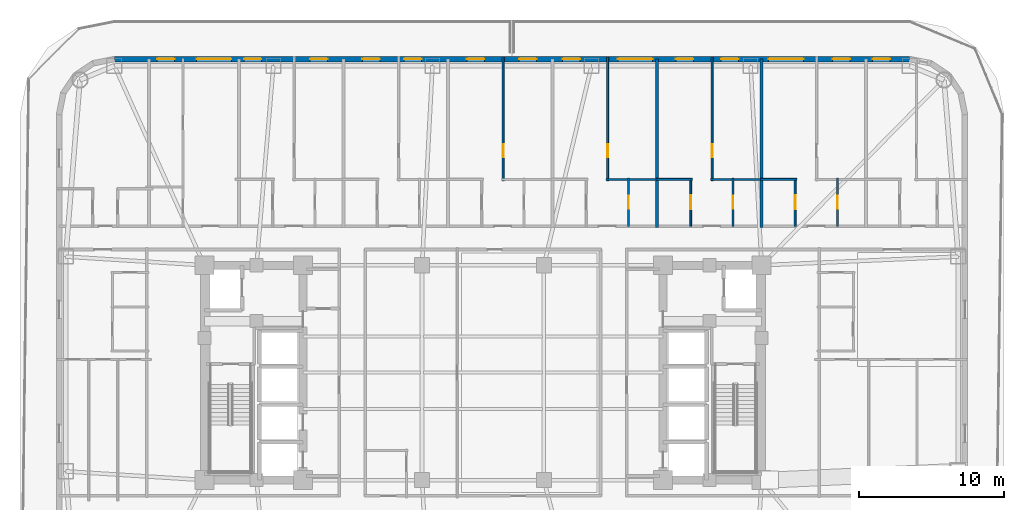
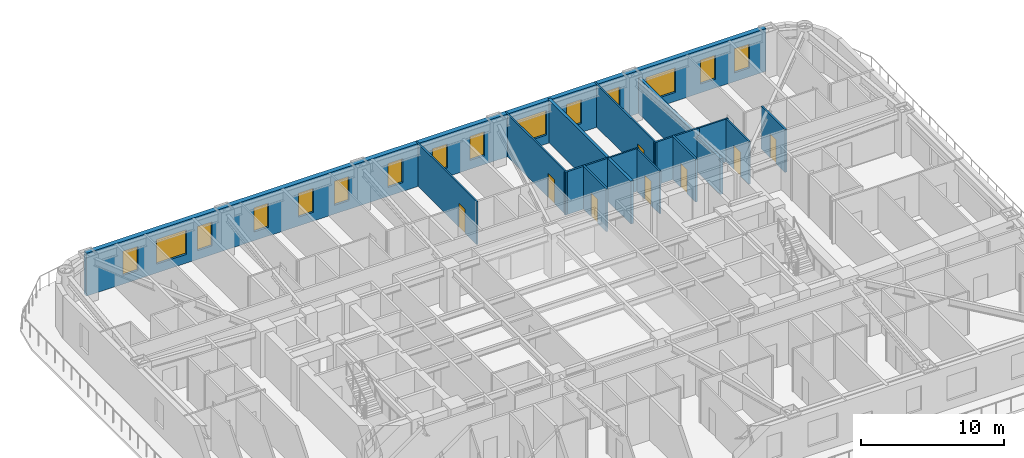
# One storey, part 9 of 16: 15 walls, 15 windows, 8 doors, 23 openings.
"""IFC4 building model written with IfcOpenShell, lengths in metres."""

import ifcopenshell
import ifcopenshell.guid

model = None  # the IFC model being written
_history = None  # IfcOwnerHistory: only IFC2X3 demands one
_inside = {}  # id of a spatial element -> (the spatial element, [elements in it])
_under = {}  # id of a project, library or spatial element -> (it, [spatial elements below it])
_declared = {}  # id of a project -> (the project, [libraries it declares])
_typed = {}  # id of a type object -> (the type object, [elements of that type])
_made_of = {}  # id of a material, layer set ... -> (it, [elements and type objects made of it])


def new_model(schema):
    """Start an empty IFC model of exactly this schema.

    Asked for "IFC4X3", IfcOpenShell would pick the latest addendum, in which some entities
    have other attributes; the version numbers below select the first issue.
    IFC2X3 requires an IfcOwnerHistory on every rooted entity: one is made here for all.
    """
    global model, _history
    if schema == "IFC4X3":
        model = ifcopenshell.file(schema_version=(4, 3, 0, 0))
    else:
        model = ifcopenshell.file(schema=schema)
    _inside.clear()
    _under.clear()
    _declared.clear()
    _typed.clear()
    _made_of.clear()
    _history = None
    if model.schema == "IFC2X3":
        org = make("IfcOrganization", Name="unknown")
        user = make(
            "IfcPersonAndOrganization",
            ThePerson=make("IfcPerson", FamilyName="unknown"),
            TheOrganization=org,
        )
        app = make(
            "IfcApplication",
            ApplicationDeveloper=org,
            Version="unknown",
            ApplicationFullName="unknown",
            ApplicationIdentifier="unknown",
        )
        _history = make(
            "IfcOwnerHistory",
            OwningUser=user,
            OwningApplication=app,
            ChangeAction="ADDED",
            CreationDate=0,
        )
    return model


def make(cls, **values):
    """One entity of the class cls with the attributes given. An attribute that is None is left unset."""
    return model.create_entity(
        cls, **{name: value for name, value in values.items() if value is not None}
    )


def rooted(cls, **values):
    """An entity with a GlobalId (a new one), such as an element, a storey or a relation."""
    return make(cls, GlobalId=ifcopenshell.guid.new(), OwnerHistory=_history, **values)


def si_unit(unit_type, name, prefix=None):
    """IfcSIUnit, for example si_unit("LENGTHUNIT", "METRE", prefix="MILLI")."""
    return make("IfcSIUnit", UnitType=unit_type, Prefix=prefix, Name=name)


def assignment(units):
    """IfcUnitAssignment: the units of a project."""
    return None if units is None else make("IfcUnitAssignment", Units=units)


def point(xyz):
    """IfcCartesianPoint."""
    return None if xyz is None else make("IfcCartesianPoint", Coordinates=xyz)


def direction(xyz):
    """IfcDirection."""
    return None if xyz is None else make("IfcDirection", DirectionRatios=xyz)


def frame(location, z_axis=None, x_axis=None):
    """IfcAxis2Placement3D, a coordinate frame: its origin and axes. An axis left out is left unset."""
    return make(
        "IfcAxis2Placement3D",
        Location=point(location),
        Axis=direction(z_axis),
        RefDirection=direction(x_axis),
    )


def frame_2d(location, x_axis=None):
    """IfcAxis2Placement2D, a coordinate frame in the plane: its origin and x axis."""
    return make(
        "IfcAxis2Placement2D", Location=point(location), RefDirection=direction(x_axis)
    )


def origin():
    """The frame at (0, 0, 0) with its axes left unset."""
    return frame((0.0, 0.0, 0.0))


def place(relative_to, where):
    """IfcLocalPlacement: puts the frame where relative to a parent placement (None: the world)."""
    return make(
        "IfcLocalPlacement", PlacementRelTo=relative_to, RelativePlacement=where
    )


def context(
    kind, dimensions, precision=None, world=None, true_north=None, identifier=None
):
    """IfcGeometricRepresentationContext, for example the 3D "Model" context."""
    return make(
        "IfcGeometricRepresentationContext",
        ContextIdentifier=identifier,
        ContextType=kind,
        CoordinateSpaceDimension=dimensions,
        Precision=precision,
        WorldCoordinateSystem=world,
        TrueNorth=true_north,
    )


def subcontext(parent, identifier, kind, view, scale=None):
    """IfcGeometricRepresentationSubContext, for example "Body" below "Model"."""
    return make(
        "IfcGeometricRepresentationSubContext",
        ContextIdentifier=identifier,
        ContextType=kind,
        ParentContext=parent,
        TargetScale=scale,
        TargetView=view,
    )


def project(units=None, contexts=None):
    """IfcProject with its units and contexts."""
    return rooted(
        "IfcProject",
        Name="project",
        RepresentationContexts=contexts,
        UnitsInContext=assignment(units),
    )


def spatial(cls, under=None, at=None, **own):
    """A site, building, storey or space (cls), placed at a placement, below another one or the project."""
    s = rooted(cls, ObjectPlacement=at, **own)
    if under is not None:
        _under.setdefault(under.id(), (under, []))[1].append(s)
    return s


def profile(cls, at=None, kind="AREA", **sizes):
    """A parametric profile (cls). Its sizes go by their IFC names, for example OverallWidth=200.0."""
    return make(cls, ProfileType=kind, Position=at, **sizes)


def rectangle(**sizes):
    """IfcRectangleProfileDef."""
    return profile("IfcRectangleProfileDef", **sizes)


def extrude(swept, where, along, depth):
    """IfcExtrudedAreaSolid: the profile swept, set in the frame where, extruded along a direction by depth."""
    return make(
        "IfcExtrudedAreaSolid",
        SweptArea=swept,
        Position=where,
        ExtrudedDirection=direction(along),
        Depth=depth,
    )


def shape(context_of_items, identifier, shape_type, items):
    """IfcShapeRepresentation: the items that make up one representation, for example the "Body"."""
    return make(
        "IfcShapeRepresentation",
        ContextOfItems=context_of_items,
        RepresentationIdentifier=identifier,
        RepresentationType=shape_type,
        Items=items,
    )


def material(Name=None, Category=None):
    """IfcMaterial."""
    return make("IfcMaterial", Name=Name, Category=Category)


def layer(
    of_material, thickness, ventilated=None, Name=None, Category=None, Priority=None
):
    """IfcMaterialLayer: one layer of a wall or slab, of a material (None: an air gap)."""
    return make(
        "IfcMaterialLayer",
        Material=of_material,
        LayerThickness=thickness,
        IsVentilated=ventilated,
        Name=Name,
        Category=Category,
        Priority=Priority,
    )


def layer_set(layers, Name=None):
    """IfcMaterialLayerSet."""
    return make("IfcMaterialLayerSet", MaterialLayers=layers, LayerSetName=Name)


def made_of(thing, what):
    """Note that an element or type object is made of a material, layer set ...; save() writes the relation."""
    if what is not None:
        _made_of.setdefault(what.id(), (what, []))[1].append(thing)
    return thing


def type_object(cls, material=None, **own):
    """A type object (cls), such as IfcWallType, which elements share."""
    return made_of(rooted(cls, **own), material)


def element(
    cls,
    number,
    at=None,
    inside=None,
    cuts=None,
    type_object=None,
    material=None,
    context=None,
    identifier="Body",
    shape_type=None,
    held_by="IfcProductDefinitionShape",
    body=None,
    shapes=None,
    **own,
):
    """One element of the class cls, such as IfcWall. Its Tag is "e" and its number.

    at: its placement. inside: the storey or other place that contains it. cuts: it is an
    opening in that element (IfcRelVoidsElement). A single representation is given by context,
    identifier, shape_type and body (its items); several are given by shapes. held_by: the class
    of the entity that holds the representations. save() writes the other relations.
    """
    e = rooted(cls, Tag="e%d" % number, ObjectPlacement=at, **own)
    if body is not None:
        shapes = [shape(context, identifier, shape_type, body)]
    if shapes is not None:
        e.Representation = make(held_by, Representations=shapes)
    if inside is not None:
        _inside.setdefault(inside.id(), (inside, []))[1].append(e)
    if cuts is not None:
        rooted(
            "IfcRelVoidsElement", RelatingBuildingElement=cuts, RelatedOpeningElement=e
        )
    if type_object is not None:
        _typed.setdefault(type_object.id(), (type_object, []))[1].append(e)
    return made_of(e, material)


def fill(opening, filler):
    """IfcRelFillsElement: the door or window that sits in an opening."""
    return rooted(
        "IfcRelFillsElement",
        RelatingOpeningElement=opening,
        RelatedBuildingElement=filler,
    )


def aggregate(whole, parts):
    """IfcRelAggregates: a whole, such as a stair, and the parts it consists of."""
    return rooted("IfcRelAggregates", RelatingObject=whole, RelatedObjects=parts)


def save(model, path):
    """Write the relations noted so far, then the file.

    IfcRelAggregates (storeys below a building ...), IfcRelContainedInSpatialStructure (elements
    in a storey), IfcRelDefinesByType, IfcRelAssociatesMaterial and IfcRelDeclares: one each for
    every whole, place, type object, material and project.
    """
    for whole, parts in _under.values():
        aggregate(whole, parts)
    for where, things in _inside.values():
        rooted(
            "IfcRelContainedInSpatialStructure",
            RelatedElements=things,
            RelatingStructure=where,
        )
    for kind, things in _typed.values():
        rooted("IfcRelDefinesByType", RelatedObjects=things, RelatingType=kind)
    for what, things in _made_of.values():
        rooted("IfcRelAssociatesMaterial", RelatedObjects=things, RelatingMaterial=what)
    for by, libraries in _declared.values():
        rooted("IfcRelDeclares", RelatingContext=by, RelatedDefinitions=libraries)
    model.write(path)


model = new_model("IFC4")

# Units and contexts
model_context = context("Model", 3, precision=1e-05, world=origin(), true_north=direction((0.0, 1.0)))
body_context = subcontext(model_context, "Body", "Model", "MODEL_VIEW")
ifc_project = project(units=[si_unit("LENGTHUNIT", "METRE"), si_unit("AREAUNIT", "SQUARE_METRE"), si_unit("VOLUMEUNIT", "CUBIC_METRE"), si_unit("PLANEANGLEUNIT", "RADIAN"), si_unit("MASSUNIT", "GRAM", prefix="KILO")], contexts=[model_context])

# Site, building, storey
site_placement = place(None, origin())
site = spatial("IfcSite", under=ifc_project, at=site_placement, CompositionType="ELEMENT")
building_placement = place(site_placement, origin())
building = spatial("IfcBuilding", under=site, at=building_placement, Name="Voryun Gate Residences", CompositionType="ELEMENT")
storey_placement = place(building_placement, frame((0.0, 0.0, 113.10009765625)))
storey = spatial("IfcBuildingStorey", under=building, at=storey_placement, Name="L27", CompositionType="ELEMENT", Elevation=113.10009765625)

# Wall, openings, windows
ifc_material_1 = material(Name="Granite masonry", Category="masonry")
ifc_layer_1 = layer(ifc_material_1, 0.3798828125, Name="W_EXT_GRANITE_380")
ifc_layer_set_1 = layer_set([ifc_layer_1], Name="Granite masonry")
wall_type_1 = type_object("IfcWallType", Name="W_EXT_GRANITE_380", PredefinedType="ELEMENTEDWALL", material=ifc_layer_set_1)
wall_1_placement = place(storey_placement, frame((-25.38134765625, 21.610107421875, 0.0), z_axis=(0.0, 0.0, 1.0), x_axis=(1.0, 0.0, 0.0)))
wall_1 = element("IfcWall", 1, at=wall_1_placement, inside=storey, type_object=wall_type_1, Name="Exterior wall WEXT-L27-11", PredefinedType="ELEMENTEDWALL", context=body_context, shape_type="SweptSolid", body=[
    extrude(rectangle(XDim=54.7626953125, YDim=0.3798828125, at=frame_2d((27.38134765625, 0.0))), origin(), (0.0, 0.0, 1.0), 3.64990234375),
])
opening_1_placement = place(wall_1_placement, frame((5.645263671875, 0.0, 0.75)))
opening_1 = element("IfcOpeningElement", 2, at=opening_1_placement, cuts=wall_1, Name="Opening WN2", PredefinedType="OPENING", context=body_context, shape_type="SweptSolid", body=[
    extrude(rectangle(XDim=2.39990234375, YDim=2.10009765625, at=frame_2d((1.199951171875, 1.050048828125))), frame((0.0, 0.199951171875, 0.0), z_axis=(0.0, -1.0, 0.0), x_axis=(1.0, 0.0, 0.0)), (0.0, 0.0, 1.0), 0.39990234375),
])
opening_2_placement = place(wall_1_placement, frame((34.676513671875, 0.0, 0.75)))
opening_2 = element("IfcOpeningElement", 3, at=opening_2_placement, cuts=wall_1, Name="Opening WN2", PredefinedType="OPENING", context=body_context, shape_type="SweptSolid", body=[
    extrude(rectangle(XDim=2.39990234375, YDim=2.10009765625, at=frame_2d((1.199951171875, 1.050048828125))), frame((0.0, 0.199951171875, 0.0), z_axis=(0.0, -1.0, 0.0), x_axis=(1.0, 0.0, 0.0)), (0.0, 0.0, 1.0), 0.39990234375),
])
opening_3_placement = place(wall_1_placement, frame((45.0673828125, 0.0, 0.75)))
opening_3 = element("IfcOpeningElement", 4, at=opening_3_placement, cuts=wall_1, Name="Opening WN2", PredefinedType="OPENING", context=body_context, shape_type="SweptSolid", body=[
    extrude(rectangle(XDim=2.39990234375, YDim=2.10009765625, at=frame_2d((1.199951171875, 1.050048828125))), frame((0.0, 0.199951171875, 0.0), z_axis=(0.0, -1.0, 0.0), x_axis=(1.0, 0.0, 0.0)), (0.0, 0.0, 1.0), 0.39990234375),
])
opening_4_placement = place(wall_1_placement, frame((2.937744140625, 0.0, 0.75)))
opening_4 = element("IfcOpeningElement", 5, at=opening_4_placement, cuts=wall_1, Name="Opening WN6", PredefinedType="OPENING", context=body_context, shape_type="SweptSolid", body=[
    extrude(rectangle(XDim=1.199951171875, YDim=2.050048828125, at=frame_2d((0.60009765625, 1.02490234375))), frame((0.0, 0.199951171875, 0.0), z_axis=(0.0, -1.0, 0.0), x_axis=(1.0, 0.0, 0.0)), (0.0, 0.0, 1.0), 0.39990234375),
])
opening_5_placement = place(wall_1_placement, frame((8.916259765625, 0.0, 0.75)))
opening_5 = element("IfcOpeningElement", 6, at=opening_5_placement, cuts=wall_1, Name="Opening WN6", PredefinedType="OPENING", context=body_context, shape_type="SweptSolid", body=[
    extrude(rectangle(XDim=1.199951171875, YDim=2.050048828125, at=frame_2d((0.60009765625, 1.02490234375))), frame((0.0, 0.199951171875, 0.0), z_axis=(0.0, -1.0, 0.0), x_axis=(1.0, 0.0, 0.0)), (0.0, 0.0, 1.0), 0.39990234375),
])
opening_6_placement = place(wall_1_placement, frame((13.476318359375, 0.0, 0.75)))
opening_6 = element("IfcOpeningElement", 7, at=opening_6_placement, cuts=wall_1, Name="Opening WN6", PredefinedType="OPENING", context=body_context, shape_type="SweptSolid", body=[
    extrude(rectangle(XDim=1.199951171875, YDim=2.050048828125, at=frame_2d((0.60009765625, 1.02490234375))), frame((0.0, 0.199951171875, 0.0), z_axis=(0.0, -1.0, 0.0), x_axis=(1.0, 0.0, 0.0)), (0.0, 0.0, 1.0), 0.39990234375),
])
opening_7_placement = place(wall_1_placement, frame((17.076416015625, 0.0, 0.75)))
opening_7 = element("IfcOpeningElement", 8, at=opening_7_placement, cuts=wall_1, Name="Opening WN6", PredefinedType="OPENING", context=body_context, shape_type="SweptSolid", body=[
    extrude(rectangle(XDim=1.199951171875, YDim=2.050048828125, at=frame_2d((0.60009765625, 1.02490234375))), frame((0.0, 0.199951171875, 0.0), z_axis=(0.0, -1.0, 0.0), x_axis=(1.0, 0.0, 0.0)), (0.0, 0.0, 1.0), 0.39990234375),
])
opening_8_placement = place(wall_1_placement, frame((19.956298828125, 0.0, 0.75)))
opening_8 = element("IfcOpeningElement", 9, at=opening_8_placement, cuts=wall_1, Name="Opening WN6", PredefinedType="OPENING", context=body_context, shape_type="SweptSolid", body=[
    extrude(rectangle(XDim=1.199951171875, YDim=2.050048828125, at=frame_2d((0.60009765625, 1.02490234375))), frame((0.0, 0.199951171875, 0.0), z_axis=(0.0, -1.0, 0.0), x_axis=(1.0, 0.0, 0.0)), (0.0, 0.0, 1.0), 0.39990234375),
])
opening_9_placement = place(wall_1_placement, frame((24.2763671875, 0.0, 0.75)))
opening_9 = element("IfcOpeningElement", 10, at=opening_9_placement, cuts=wall_1, Name="Opening WN6", PredefinedType="OPENING", context=body_context, shape_type="SweptSolid", body=[
    extrude(rectangle(XDim=1.199951171875, YDim=2.050048828125, at=frame_2d((0.60009765625, 1.02490234375))), frame((0.0, 0.199951171875, 0.0), z_axis=(0.0, -1.0, 0.0), x_axis=(1.0, 0.0, 0.0)), (0.0, 0.0, 1.0), 0.39990234375),
])
opening_10_placement = place(wall_1_placement, frame((27.876220703125, 0.0, 0.75)))
opening_10 = element("IfcOpeningElement", 11, at=opening_10_placement, cuts=wall_1, Name="Opening WN6", PredefinedType="OPENING", context=body_context, shape_type="SweptSolid", body=[
    extrude(rectangle(XDim=1.199951171875, YDim=2.050048828125, at=frame_2d((0.60009765625, 1.02490234375))), frame((0.0, 0.199951171875, 0.0), z_axis=(0.0, -1.0, 0.0), x_axis=(1.0, 0.0, 0.0)), (0.0, 0.0, 1.0), 0.39990234375),
])
opening_11_placement = place(wall_1_placement, frame((30.876220703125, 0.0, 0.75)))
opening_11 = element("IfcOpeningElement", 12, at=opening_11_placement, cuts=wall_1, Name="Opening WN6", PredefinedType="OPENING", context=body_context, shape_type="SweptSolid", body=[
    extrude(rectangle(XDim=1.199951171875, YDim=2.050048828125, at=frame_2d((0.60009765625, 1.02490234375))), frame((0.0, 0.199951171875, 0.0), z_axis=(0.0, -1.0, 0.0), x_axis=(1.0, 0.0, 0.0)), (0.0, 0.0, 1.0), 0.39990234375),
])
opening_12_placement = place(wall_1_placement, frame((38.67626953125, 0.0, 0.75)))
opening_12 = element("IfcOpeningElement", 13, at=opening_12_placement, cuts=wall_1, Name="Opening WN6", PredefinedType="OPENING", context=body_context, shape_type="SweptSolid", body=[
    extrude(rectangle(XDim=1.199951171875, YDim=2.050048828125, at=frame_2d((0.60009765625, 1.02490234375))), frame((0.0, 0.199951171875, 0.0), z_axis=(0.0, -1.0, 0.0), x_axis=(1.0, 0.0, 0.0)), (0.0, 0.0, 1.0), 0.39990234375),
])
opening_13_placement = place(wall_1_placement, frame((41.79638671875, 0.0, 0.75)))
opening_13 = element("IfcOpeningElement", 14, at=opening_13_placement, cuts=wall_1, Name="Opening WN6", PredefinedType="OPENING", context=body_context, shape_type="SweptSolid", body=[
    extrude(rectangle(XDim=1.199951171875, YDim=2.050048828125, at=frame_2d((0.60009765625, 1.02490234375))), frame((0.0, 0.199951171875, 0.0), z_axis=(0.0, -1.0, 0.0), x_axis=(1.0, 0.0, 0.0)), (0.0, 0.0, 1.0), 0.39990234375),
])
opening_14_placement = place(wall_1_placement, frame((49.476318359375, 0.0, 0.75)))
opening_14 = element("IfcOpeningElement", 15, at=opening_14_placement, cuts=wall_1, Name="Opening WN6", PredefinedType="OPENING", context=body_context, shape_type="SweptSolid", body=[
    extrude(rectangle(XDim=1.199951171875, YDim=2.050048828125, at=frame_2d((0.60009765625, 1.02490234375))), frame((0.0, 0.199951171875, 0.0), z_axis=(0.0, -1.0, 0.0), x_axis=(1.0, 0.0, 0.0)), (0.0, 0.0, 1.0), 0.39990234375),
])
opening_15_placement = place(wall_1_placement, frame((52.226806640625, 0.0, 0.75)))
opening_15 = element("IfcOpeningElement", 16, at=opening_15_placement, cuts=wall_1, Name="Opening WN6", PredefinedType="OPENING", context=body_context, shape_type="SweptSolid", body=[
    extrude(rectangle(XDim=1.199951171875, YDim=2.050048828125, at=frame_2d((0.60009765625, 1.02490234375))), frame((0.0, 0.199951171875, 0.0), z_axis=(0.0, -1.0, 0.0), x_axis=(1.0, 0.0, 0.0)), (0.0, 0.0, 1.0), 0.39990234375),
])
ifc_material_2 = material(Name="Laminated low-E glass", Category="glass")
window_type_1 = type_object("IfcWindowType", Name="WN_POD_SLOT_1200", PartitioningType="SINGLE_PANEL", PredefinedType="WINDOW", material=ifc_material_2)
window_1_placement = place(opening_4_placement, origin())
window_1 = element("IfcWindow", 17, at=window_1_placement, inside=storey, type_object=window_type_1, Name="Window WN-L27-DWFIX-02", OverallHeight=2.050048828125, OverallWidth=1.199951171875, PartitioningType="SINGLE_PANEL", PredefinedType="WINDOW", context=body_context, shape_type="SweptSolid", body=[
    extrude(rectangle(XDim=1.199951171875, YDim=2.050048828125, at=frame_2d((0.60009765625, 1.02490234375))), frame((0.0, 0.030029296875, 0.0), z_axis=(0.0, -1.0, 0.0), x_axis=(1.0, 0.0, 0.0)), (0.0, 0.0, 1.0), 0.06005859375),
])
fill(opening_4, window_1)
window_2_placement = place(opening_5_placement, origin())
window_2 = element("IfcWindow", 18, at=window_2_placement, inside=storey, type_object=window_type_1, Name="Window WN-L27-DWFIX-03", OverallHeight=2.050048828125, OverallWidth=1.199951171875, PartitioningType="SINGLE_PANEL", PredefinedType="WINDOW", context=body_context, shape_type="SweptSolid", body=[
    extrude(rectangle(XDim=1.199951171875, YDim=2.050048828125, at=frame_2d((0.60009765625, 1.02490234375))), frame((0.0, 0.030029296875, 0.0), z_axis=(0.0, -1.0, 0.0), x_axis=(1.0, 0.0, 0.0)), (0.0, 0.0, 1.0), 0.06005859375),
])
fill(opening_5, window_2)
window_3_placement = place(opening_6_placement, origin())
window_3 = element("IfcWindow", 19, at=window_3_placement, inside=storey, type_object=window_type_1, Name="Window WN-L27-DWFIX-04", OverallHeight=2.050048828125, OverallWidth=1.199951171875, PartitioningType="SINGLE_PANEL", PredefinedType="WINDOW", context=body_context, shape_type="SweptSolid", body=[
    extrude(rectangle(XDim=1.199951171875, YDim=2.050048828125, at=frame_2d((0.60009765625, 1.02490234375))), frame((0.0, 0.030029296875, 0.0), z_axis=(0.0, -1.0, 0.0), x_axis=(1.0, 0.0, 0.0)), (0.0, 0.0, 1.0), 0.06005859375),
])
fill(opening_6, window_3)
window_4_placement = place(opening_7_placement, origin())
window_4 = element("IfcWindow", 20, at=window_4_placement, inside=storey, type_object=window_type_1, Name="Window WN-L27-DWFIX-05", OverallHeight=2.050048828125, OverallWidth=1.199951171875, PartitioningType="SINGLE_PANEL", PredefinedType="WINDOW", context=body_context, shape_type="SweptSolid", body=[
    extrude(rectangle(XDim=1.199951171875, YDim=2.050048828125, at=frame_2d((0.60009765625, 1.02490234375))), frame((0.0, 0.030029296875, 0.0), z_axis=(0.0, -1.0, 0.0), x_axis=(1.0, 0.0, 0.0)), (0.0, 0.0, 1.0), 0.06005859375),
])
fill(opening_7, window_4)
window_5_placement = place(opening_8_placement, origin())
window_5 = element("IfcWindow", 21, at=window_5_placement, inside=storey, type_object=window_type_1, Name="Window WN-L27-DWFIX-06", OverallHeight=2.050048828125, OverallWidth=1.199951171875, PartitioningType="SINGLE_PANEL", PredefinedType="WINDOW", context=body_context, shape_type="SweptSolid", body=[
    extrude(rectangle(XDim=1.199951171875, YDim=2.050048828125, at=frame_2d((0.60009765625, 1.02490234375))), frame((0.0, 0.030029296875, 0.0), z_axis=(0.0, -1.0, 0.0), x_axis=(1.0, 0.0, 0.0)), (0.0, 0.0, 1.0), 0.06005859375),
])
fill(opening_8, window_5)
window_6_placement = place(opening_9_placement, origin())
window_6 = element("IfcWindow", 22, at=window_6_placement, inside=storey, type_object=window_type_1, Name="Window WN-L27-DWFIX-07", OverallHeight=2.050048828125, OverallWidth=1.199951171875, PartitioningType="SINGLE_PANEL", PredefinedType="WINDOW", context=body_context, shape_type="SweptSolid", body=[
    extrude(rectangle(XDim=1.199951171875, YDim=2.050048828125, at=frame_2d((0.60009765625, 1.02490234375))), frame((0.0, 0.030029296875, 0.0), z_axis=(0.0, -1.0, 0.0), x_axis=(1.0, 0.0, 0.0)), (0.0, 0.0, 1.0), 0.06005859375),
])
fill(opening_9, window_6)
window_7_placement = place(opening_10_placement, origin())
window_7 = element("IfcWindow", 23, at=window_7_placement, inside=storey, type_object=window_type_1, Name="Window WN-L27-DWFIX-08", OverallHeight=2.050048828125, OverallWidth=1.199951171875, PartitioningType="SINGLE_PANEL", PredefinedType="WINDOW", context=body_context, shape_type="SweptSolid", body=[
    extrude(rectangle(XDim=1.199951171875, YDim=2.050048828125, at=frame_2d((0.60009765625, 1.02490234375))), frame((0.0, 0.030029296875, 0.0), z_axis=(0.0, -1.0, 0.0), x_axis=(1.0, 0.0, 0.0)), (0.0, 0.0, 1.0), 0.06005859375),
])
fill(opening_10, window_7)
window_8_placement = place(opening_11_placement, origin())
window_8 = element("IfcWindow", 24, at=window_8_placement, inside=storey, type_object=window_type_1, Name="Window WN-L27-DWFIX-09", OverallHeight=2.050048828125, OverallWidth=1.199951171875, PartitioningType="SINGLE_PANEL", PredefinedType="WINDOW", context=body_context, shape_type="SweptSolid", body=[
    extrude(rectangle(XDim=1.199951171875, YDim=2.050048828125, at=frame_2d((0.60009765625, 1.02490234375))), frame((0.0, 0.030029296875, 0.0), z_axis=(0.0, -1.0, 0.0), x_axis=(1.0, 0.0, 0.0)), (0.0, 0.0, 1.0), 0.06005859375),
])
fill(opening_11, window_8)
window_9_placement = place(opening_12_placement, origin())
window_9 = element("IfcWindow", 25, at=window_9_placement, inside=storey, type_object=window_type_1, Name="Window WN-L27-DWFIX-10", OverallHeight=2.050048828125, OverallWidth=1.199951171875, PartitioningType="SINGLE_PANEL", PredefinedType="WINDOW", context=body_context, shape_type="SweptSolid", body=[
    extrude(rectangle(XDim=1.199951171875, YDim=2.050048828125, at=frame_2d((0.60009765625, 1.02490234375))), frame((0.0, 0.030029296875, 0.0), z_axis=(0.0, -1.0, 0.0), x_axis=(1.0, 0.0, 0.0)), (0.0, 0.0, 1.0), 0.06005859375),
])
fill(opening_12, window_9)
window_10_placement = place(opening_13_placement, origin())
window_10 = element("IfcWindow", 26, at=window_10_placement, inside=storey, type_object=window_type_1, Name="Window WN-L27-DWFIX-11", OverallHeight=2.050048828125, OverallWidth=1.199951171875, PartitioningType="SINGLE_PANEL", PredefinedType="WINDOW", context=body_context, shape_type="SweptSolid", body=[
    extrude(rectangle(XDim=1.199951171875, YDim=2.050048828125, at=frame_2d((0.60009765625, 1.02490234375))), frame((0.0, 0.030029296875, 0.0), z_axis=(0.0, -1.0, 0.0), x_axis=(1.0, 0.0, 0.0)), (0.0, 0.0, 1.0), 0.06005859375),
])
fill(opening_13, window_10)
window_11_placement = place(opening_14_placement, origin())
window_11 = element("IfcWindow", 27, at=window_11_placement, inside=storey, type_object=window_type_1, Name="Window WN-L27-DWFIX-12", OverallHeight=2.050048828125, OverallWidth=1.199951171875, PartitioningType="SINGLE_PANEL", PredefinedType="WINDOW", context=body_context, shape_type="SweptSolid", body=[
    extrude(rectangle(XDim=1.199951171875, YDim=2.050048828125, at=frame_2d((0.60009765625, 1.02490234375))), frame((0.0, 0.030029296875, 0.0), z_axis=(0.0, -1.0, 0.0), x_axis=(1.0, 0.0, 0.0)), (0.0, 0.0, 1.0), 0.06005859375),
])
fill(opening_14, window_11)
window_12_placement = place(opening_15_placement, origin())
window_12 = element("IfcWindow", 28, at=window_12_placement, inside=storey, type_object=window_type_1, Name="Window WN-L27-DWFIX-13", OverallHeight=2.050048828125, OverallWidth=1.199951171875, PartitioningType="SINGLE_PANEL", PredefinedType="WINDOW", context=body_context, shape_type="SweptSolid", body=[
    extrude(rectangle(XDim=1.199951171875, YDim=2.050048828125, at=frame_2d((0.60009765625, 1.02490234375))), frame((0.0, 0.030029296875, 0.0), z_axis=(0.0, -1.0, 0.0), x_axis=(1.0, 0.0, 0.0)), (0.0, 0.0, 1.0), 0.06005859375),
])
fill(opening_15, window_12)
ifc_material_3 = material(Name="Laminated low-E glass", Category="glass")
window_type_2 = type_object("IfcWindowType", Name="WN_RES_WIDE_2400", PartitioningType="SINGLE_PANEL", PredefinedType="WINDOW", material=ifc_material_3)
window_13_placement = place(opening_1_placement, origin())
window_13 = element("IfcWindow", 29, at=window_13_placement, inside=storey, type_object=window_type_2, Name="Window WN-WEXT-L27-11-01", OverallHeight=2.10009765625, OverallWidth=2.39990234375, PartitioningType="SINGLE_PANEL", PredefinedType="WINDOW", context=body_context, shape_type="SweptSolid", body=[
    extrude(rectangle(XDim=2.39990234375, YDim=2.10009765625, at=frame_2d((1.199951171875, 1.050048828125))), frame((0.0, 0.030029296875, 0.0), z_axis=(0.0, -1.0, 0.0), x_axis=(1.0, 0.0, 0.0)), (0.0, 0.0, 1.0), 0.06005859375),
])
fill(opening_1, window_13)
window_14_placement = place(opening_2_placement, origin())
window_14 = element("IfcWindow", 30, at=window_14_placement, inside=storey, type_object=window_type_2, Name="Window WN-WEXT-L27-11-03", OverallHeight=2.10009765625, OverallWidth=2.39990234375, PartitioningType="SINGLE_PANEL", PredefinedType="WINDOW", context=body_context, shape_type="SweptSolid", body=[
    extrude(rectangle(XDim=2.39990234375, YDim=2.10009765625, at=frame_2d((1.199951171875, 1.050048828125))), frame((0.0, 0.030029296875, 0.0), z_axis=(0.0, -1.0, 0.0), x_axis=(1.0, 0.0, 0.0)), (0.0, 0.0, 1.0), 0.06005859375),
])
fill(opening_2, window_14)
window_15_placement = place(opening_3_placement, origin())
window_15 = element("IfcWindow", 31, at=window_15_placement, inside=storey, type_object=window_type_2, Name="Window WN-WEXT-L27-11-04", OverallHeight=2.10009765625, OverallWidth=2.39990234375, PartitioningType="SINGLE_PANEL", PredefinedType="WINDOW", context=body_context, shape_type="SweptSolid", body=[
    extrude(rectangle(XDim=2.39990234375, YDim=2.10009765625, at=frame_2d((1.199951171875, 1.050048828125))), frame((0.0, 0.030029296875, 0.0), z_axis=(0.0, -1.0, 0.0), x_axis=(1.0, 0.0, 0.0)), (0.0, 0.0, 1.0), 0.06005859375),
])
fill(opening_3, window_15)

# Walls
ifc_material_4 = material(Name="Concrete C40/50", Category="concrete")
ifc_layer_2 = layer(ifc_material_4, 0.219970703125, Name="W_PARTY_ACOUSTIC_220")
ifc_layer_set_2 = layer_set([ifc_layer_2], Name="Concrete C40/50")
wall_type_2 = type_object("IfcWallType", Name="W_PARTY_ACOUSTIC_220", PredefinedType="PARTITIONING", material=ifc_layer_set_2)
wall_2_placement = place(storey_placement, frame((12.0, 10.02001953125, 0.0), z_axis=(0.0, 0.0, 1.0), x_axis=(0.0, 1.0, 0.0)))
element("IfcWall", 32, at=wall_2_placement, inside=storey, type_object=wall_type_2, Name="Partition wall WP-L27-NPTY-6", PredefinedType="PARTITIONING", context=body_context, shape_type="SweptSolid", body=[
    extrude(rectangle(XDim=11.590087890625, YDim=0.219970703125, at=frame_2d((5.794921875, 0.0))), origin(), (0.0, 0.0, 1.0), 3.64990234375),
])
wall_3_placement = place(storey_placement, frame((19.199951171875, 10.02001953125, 0.0), z_axis=(0.0, 0.0, 1.0), x_axis=(0.0, 1.0, 0.0)))
element("IfcWall", 33, at=wall_3_placement, inside=storey, type_object=wall_type_2, Name="Partition wall WP-L27-NPTY-7", PredefinedType="PARTITIONING", context=body_context, shape_type="SweptSolid", body=[
    extrude(rectangle(XDim=11.590087890625, YDim=0.219970703125, at=frame_2d((5.794921875, 0.0))), origin(), (0.0, 0.0, 1.0), 3.039794921875),
])

# Wall, opening, door
ifc_material_5 = material(Name="Gypsum acoustic partition")
ifc_layer_3 = layer(ifc_material_5, 0.125, Name="W_UNIT_PART_125")
ifc_layer_set_3 = layer_set([ifc_layer_3], Name="Gypsum acoustic partition")
wall_type_3 = type_object("IfcWallType", Name="W_UNIT_PART_125", PredefinedType="PARTITIONING", material=ifc_layer_set_3)
wall_4_placement = place(storey_placement, frame((1.389892578125, 13.239990234375, 0.0), z_axis=(0.0, 0.0, 1.0), x_axis=(0.0, 1.0, 0.0)))
wall_4 = element("IfcWall", 34, at=wall_4_placement, inside=storey, type_object=wall_type_3, Name="Partition wall WP-L27-N5-OVR", PredefinedType="PARTITIONING", context=body_context, shape_type="SweptSolid", body=[
    extrude(rectangle(XDim=8.52001953125, YDim=0.125, at=frame_2d((4.260009765625, 0.0))), origin(), (0.0, 0.0, 1.0), 3.64990234375),
])
opening_16_placement = place(wall_4_placement, frame((1.5947265625, 0.0, 0.0)))
opening_16 = element("IfcOpeningElement", 35, at=opening_16_placement, cuts=wall_4, Name="Opening D-INT-2", PredefinedType="OPENING", context=body_context, shape_type="SweptSolid", body=[
    extrude(rectangle(XDim=0.89990234375, YDim=2.050048828125, at=frame_2d((0.449951171875, 1.02490234375))), frame((0.0, 0.072509765625, 0.0), z_axis=(0.0, -1.0, 0.0), x_axis=(1.0, 0.0, 0.0)), (0.0, 0.0, 1.0), 0.14501953125),
])
ifc_material_6 = material(Name="Architectural oak veneer")
door_type_1 = type_object("IfcDoorType", Name="DR_INT_BATH_900", OperationType="NOTDEFINED", PredefinedType="DOOR", material=ifc_material_6)
door_1_placement = place(opening_16_placement, origin())
door_1 = element("IfcDoor", 36, at=door_1_placement, inside=storey, type_object=door_type_1, Name="Door DR-L27-N5-DMB", OperationType="SINGLE_SWING_RIGHT", OverallHeight=2.050048828125, OverallWidth=0.89990234375, PredefinedType="DOOR", context=body_context, shape_type="SweptSolid", body=[
    extrude(rectangle(XDim=0.89990234375, YDim=2.050048828125, at=frame_2d((0.449951171875, 1.02490234375))), frame((0.0, 0.02490234375, 0.0), z_axis=(0.0, -1.0, 0.0), x_axis=(1.0, 0.0, 0.0)), (0.0, 0.0, 1.0), 0.050048828125),
])
fill(opening_16, door_1)

wall_5_placement = place(storey_placement, frame((8.590087890625, 13.239990234375, 0.0), z_axis=(0.0, 0.0, 1.0), x_axis=(0.0, 1.0, 0.0)))
wall_5 = element("IfcWall", 37, at=wall_5_placement, inside=storey, type_object=wall_type_3, Name="Partition wall WP-L27-N6-OVR", PredefinedType="PARTITIONING", context=body_context, shape_type="SweptSolid", body=[
    extrude(rectangle(XDim=8.52001953125, YDim=0.125, at=frame_2d((4.260009765625, 0.0))), origin(), (0.0, 0.0, 1.0), 3.64990234375),
])
opening_17_placement = place(wall_5_placement, frame((1.5947265625, 0.0, 0.0)))
opening_17 = element("IfcOpeningElement", 38, at=opening_17_placement, cuts=wall_5, Name="Opening D-INT-2", PredefinedType="OPENING", context=body_context, shape_type="SweptSolid", body=[
    extrude(rectangle(XDim=0.89990234375, YDim=2.050048828125, at=frame_2d((0.449951171875, 1.02490234375))), frame((0.0, 0.072509765625, 0.0), z_axis=(0.0, -1.0, 0.0), x_axis=(1.0, 0.0, 0.0)), (0.0, 0.0, 1.0), 0.14501953125),
])
door_2_placement = place(opening_17_placement, origin())
door_2 = element("IfcDoor", 39, at=door_2_placement, inside=storey, type_object=door_type_1, Name="Door DR-L27-N6-DMB", OperationType="SINGLE_SWING_RIGHT", OverallHeight=2.050048828125, OverallWidth=0.89990234375, PredefinedType="DOOR", context=body_context, shape_type="SweptSolid", body=[
    extrude(rectangle(XDim=0.89990234375, YDim=2.050048828125, at=frame_2d((0.449951171875, 1.02490234375))), frame((0.0, 0.02490234375, 0.0), z_axis=(0.0, -1.0, 0.0), x_axis=(1.0, 0.0, 0.0)), (0.0, 0.0, 1.0), 0.050048828125),
])
fill(opening_17, door_2)

wall_6_placement = place(storey_placement, frame((15.7900390625, 13.239990234375, 0.0), z_axis=(0.0, 0.0, 1.0), x_axis=(0.0, 1.0, 0.0)))
wall_6 = element("IfcWall", 40, at=wall_6_placement, inside=storey, type_object=wall_type_3, Name="Partition wall WP-L27-N7-OVR", PredefinedType="PARTITIONING", context=body_context, shape_type="SweptSolid", body=[
    extrude(rectangle(XDim=8.52001953125, YDim=0.125, at=frame_2d((4.260009765625, 0.0))), origin(), (0.0, 0.0, 1.0), 3.64990234375),
])
opening_18_placement = place(wall_6_placement, frame((1.5947265625, 0.0, 0.0)))
opening_18 = element("IfcOpeningElement", 41, at=opening_18_placement, cuts=wall_6, Name="Opening D-INT-2", PredefinedType="OPENING", context=body_context, shape_type="SweptSolid", body=[
    extrude(rectangle(XDim=0.89990234375, YDim=2.050048828125, at=frame_2d((0.449951171875, 1.02490234375))), frame((0.0, 0.072509765625, 0.0), z_axis=(0.0, -1.0, 0.0), x_axis=(1.0, 0.0, 0.0)), (0.0, 0.0, 1.0), 0.14501953125),
])
door_3_placement = place(opening_18_placement, origin())
door_3 = element("IfcDoor", 42, at=door_3_placement, inside=storey, type_object=door_type_1, Name="Door DR-L27-N7-DMB", OperationType="SINGLE_SWING_RIGHT", OverallHeight=2.050048828125, OverallWidth=0.89990234375, PredefinedType="DOOR", context=body_context, shape_type="SweptSolid", body=[
    extrude(rectangle(XDim=0.89990234375, YDim=2.050048828125, at=frame_2d((0.449951171875, 1.02490234375))), frame((0.0, 0.02490234375, 0.0), z_axis=(0.0, -1.0, 0.0), x_axis=(1.0, 0.0, 0.0)), (0.0, 0.0, 1.0), 0.050048828125),
])
fill(opening_18, door_3)

wall_7_placement = place(storey_placement, frame((14.31005859375, 10.080078125, 0.0), z_axis=(0.0, 0.0, 1.0), x_axis=(0.0, 1.0, 0.0)))
wall_7 = element("IfcWall", 43, at=wall_7_placement, inside=storey, type_object=wall_type_3, Name="Partition wall WP-L27-N7-IVK", PredefinedType="PARTITIONING", context=body_context, shape_type="SweptSolid", body=[
    extrude(rectangle(XDim=3.31982421875, YDim=0.125, at=frame_2d((1.659912109375, 0.0))), origin(), (0.0, 0.0, 1.0), 3.64990234375),
])
opening_19_placement = place(wall_7_placement, frame((1.18505859375, 0.0, 0.0)))
opening_19 = element("IfcOpeningElement", 44, at=opening_19_placement, cuts=wall_7, Name="Opening D-INT-1", PredefinedType="OPENING", context=body_context, shape_type="SweptSolid", body=[
    extrude(rectangle(XDim=0.949951171875, YDim=2.050048828125, at=frame_2d((0.47509765625, 1.02490234375))), frame((0.0, 0.072509765625, 0.0), z_axis=(0.0, -1.0, 0.0), x_axis=(1.0, 0.0, 0.0)), (0.0, 0.0, 1.0), 0.14501953125),
])
ifc_material_7 = material(Name="Architectural oak veneer")
door_type_2 = type_object("IfcDoorType", Name="DR_INT_ROOM_950", OperationType="NOTDEFINED", PredefinedType="DOOR", material=ifc_material_7)
door_4_placement = place(opening_19_placement, origin())
door_4 = element("IfcDoor", 45, at=door_4_placement, inside=storey, type_object=door_type_2, Name="Door DR-L27-N7-DK", OperationType="SINGLE_SWING_LEFT", OverallHeight=2.050048828125, OverallWidth=0.949951171875, PredefinedType="DOOR", context=body_context, shape_type="SweptSolid", body=[
    extrude(rectangle(XDim=0.949951171875, YDim=2.050048828125, at=frame_2d((0.47509765625, 1.02490234375))), frame((0.0, 0.02490234375, 0.0), z_axis=(0.0, -1.0, 0.0), x_axis=(1.0, 0.0, 0.0)), (0.0, 0.0, 1.0), 0.050048828125),
])
fill(opening_19, door_4)

# Wall
wall_8_placement = place(storey_placement, frame((11.925048828125, 13.320068359375, 0.0), z_axis=(0.0, 0.0, 1.0), x_axis=(1.0, 0.0, 0.0)))
element("IfcWall", 46, at=wall_8_placement, inside=storey, type_object=wall_type_3, Name="Partition wall WP-L27-N7-HZK", PredefinedType="PARTITIONING", context=body_context, shape_type="SweptSolid", body=[
    extrude(rectangle(XDim=2.5048828125, YDim=0.125, at=frame_2d((1.25244140625, 0.0))), origin(), (0.0, 0.0, 1.0), 3.64990234375),
])

# Wall, opening, door
wall_9_placement = place(storey_placement, frame((21.510009765625, 10.080078125, 0.0), z_axis=(0.0, 0.0, 1.0), x_axis=(0.0, 1.0, 0.0)))
wall_9 = element("IfcWall", 47, at=wall_9_placement, inside=storey, type_object=wall_type_3, Name="Partition wall WP-L27-N8-IVK", PredefinedType="PARTITIONING", context=body_context, shape_type="SweptSolid", body=[
    extrude(rectangle(XDim=3.31982421875, YDim=0.125, at=frame_2d((1.659912109375, 0.0))), origin(), (0.0, 0.0, 1.0), 3.64990234375),
])
opening_20_placement = place(wall_9_placement, frame((1.18505859375, 0.0, 0.0)))
opening_20 = element("IfcOpeningElement", 48, at=opening_20_placement, cuts=wall_9, Name="Opening D-INT-1", PredefinedType="OPENING", context=body_context, shape_type="SweptSolid", body=[
    extrude(rectangle(XDim=0.949951171875, YDim=2.050048828125, at=frame_2d((0.47509765625, 1.02490234375))), frame((0.0, 0.072509765625, 0.0), z_axis=(0.0, -1.0, 0.0), x_axis=(1.0, 0.0, 0.0)), (0.0, 0.0, 1.0), 0.14501953125),
])
door_5_placement = place(opening_20_placement, origin())
door_5 = element("IfcDoor", 49, at=door_5_placement, inside=storey, type_object=door_type_2, Name="Door DR-L27-N8-DK", OperationType="SINGLE_SWING_LEFT", OverallHeight=2.050048828125, OverallWidth=0.949951171875, PredefinedType="DOOR", context=body_context, shape_type="SweptSolid", body=[
    extrude(rectangle(XDim=0.949951171875, YDim=2.050048828125, at=frame_2d((0.47509765625, 1.02490234375))), frame((0.0, 0.02490234375, 0.0), z_axis=(0.0, -1.0, 0.0), x_axis=(1.0, 0.0, 0.0)), (0.0, 0.0, 1.0), 0.050048828125),
])
fill(opening_20, door_5)

# Walls
wall_10_placement = place(storey_placement, frame((19.125, 13.320068359375, 0.0), z_axis=(0.0, 0.0, 1.0), x_axis=(1.0, 0.0, 0.0)))
element("IfcWall", 50, at=wall_10_placement, inside=storey, type_object=wall_type_3, Name="Partition wall WP-L27-N8-HZK", PredefinedType="PARTITIONING", context=body_context, shape_type="SweptSolid", body=[
    extrude(rectangle(XDim=2.5048828125, YDim=0.125, at=frame_2d((1.25244140625, 0.0))), origin(), (0.0, 0.0, 1.0), 3.64990234375),
])
ifc_material_8 = material(Name="Gypsum moisture-resistant partition")
ifc_layer_4 = layer(ifc_material_8, 0.14990234375, Name="W_WET_PLUMB_150")
ifc_layer_set_4 = layer_set([ifc_layer_4], Name="Gypsum moisture-resistant partition")
wall_type_4 = type_object("IfcWallType", Name="W_WET_PLUMB_150", PredefinedType="PLUMBINGWALL", material=ifc_layer_set_4)
wall_11_placement = place(storey_placement, frame((8.469970703125, 13.320068359375, 0.0), z_axis=(0.0, 0.0, 1.0), x_axis=(1.0, 0.0, 0.0)))
element("IfcWall", 51, at=wall_11_placement, inside=storey, type_object=wall_type_4, Name="Partition wall WP-L27-N6-HZB", PredefinedType="PLUMBINGWALL", context=body_context, shape_type="SweptSolid", body=[
    extrude(rectangle(XDim=3.60498046875, YDim=0.14990234375, at=frame_2d((1.802490234375, 0.0))), origin(), (0.0, 0.0, 1.0), 3.64990234375),
])

# Wall, opening, door
wall_12_placement = place(storey_placement, frame((10.02001953125, 10.080078125, 0.0), z_axis=(0.0, 0.0, 1.0), x_axis=(0.0, 1.0, 0.0)))
wall_12 = element("IfcWall", 52, at=wall_12_placement, inside=storey, type_object=wall_type_4, Name="Partition wall WP-L27-N6-IVB", PredefinedType="PLUMBINGWALL", context=body_context, shape_type="SweptSolid", body=[
    extrude(rectangle(XDim=3.31982421875, YDim=0.14990234375, at=frame_2d((1.659912109375, 0.0))), origin(), (0.0, 0.0, 1.0), 3.64990234375),
])
opening_21_placement = place(wall_12_placement, frame((1.2099609375, 0.0, 0.0)))
opening_21 = element("IfcOpeningElement", 53, at=opening_21_placement, cuts=wall_12, Name="Opening D-INT-2", PredefinedType="OPENING", context=body_context, shape_type="SweptSolid", body=[
    extrude(rectangle(XDim=0.89990234375, YDim=2.050048828125, at=frame_2d((0.449951171875, 1.02490234375))), frame((0.0, 0.0849609375, 0.0), z_axis=(0.0, -1.0, 0.0), x_axis=(1.0, 0.0, 0.0)), (0.0, 0.0, 1.0), 0.169921875),
])
door_6_placement = place(opening_21_placement, origin())
door_6 = element("IfcDoor", 54, at=door_6_placement, inside=storey, type_object=door_type_1, Name="Door DR-L27-N6-DB", OperationType="SINGLE_SWING_RIGHT", OverallHeight=2.050048828125, OverallWidth=0.89990234375, PredefinedType="DOOR", context=body_context, shape_type="SweptSolid", body=[
    extrude(rectangle(XDim=0.89990234375, YDim=2.050048828125, at=frame_2d((0.449951171875, 1.02490234375))), frame((0.0, 0.02490234375, 0.0), z_axis=(0.0, -1.0, 0.0), x_axis=(1.0, 0.0, 0.0)), (0.0, 0.0, 1.0), 0.050048828125),
])
fill(opening_21, door_6)

# Wall
wall_13_placement = place(storey_placement, frame((15.669921875, 13.320068359375, 0.0), z_axis=(0.0, 0.0, 1.0), x_axis=(1.0, 0.0, 0.0)))
element("IfcWall", 55, at=wall_13_placement, inside=storey, type_object=wall_type_4, Name="Partition wall WP-L27-N7-HZB", PredefinedType="PLUMBINGWALL", context=body_context, shape_type="SweptSolid", body=[
    extrude(rectangle(XDim=3.60498046875, YDim=0.14990234375, at=frame_2d((1.802490234375, 0.0))), origin(), (0.0, 0.0, 1.0), 3.64990234375),
])

# Wall, opening, door
wall_14_placement = place(storey_placement, frame((17.219970703125, 10.080078125, 0.0), z_axis=(0.0, 0.0, 1.0), x_axis=(0.0, 1.0, 0.0)))
wall_14 = element("IfcWall", 56, at=wall_14_placement, inside=storey, type_object=wall_type_4, Name="Partition wall WP-L27-N7-IVB", PredefinedType="PLUMBINGWALL", context=body_context, shape_type="SweptSolid", body=[
    extrude(rectangle(XDim=3.31982421875, YDim=0.14990234375, at=frame_2d((1.659912109375, 0.0))), origin(), (0.0, 0.0, 1.0), 3.64990234375),
])
opening_22_placement = place(wall_14_placement, frame((1.2099609375, 0.0, 0.0)))
opening_22 = element("IfcOpeningElement", 57, at=opening_22_placement, cuts=wall_14, Name="Opening D-INT-2", PredefinedType="OPENING", context=body_context, shape_type="SweptSolid", body=[
    extrude(rectangle(XDim=0.89990234375, YDim=2.050048828125, at=frame_2d((0.449951171875, 1.02490234375))), frame((0.0, 0.0849609375, 0.0), z_axis=(0.0, -1.0, 0.0), x_axis=(1.0, 0.0, 0.0)), (0.0, 0.0, 1.0), 0.169921875),
])
door_7_placement = place(opening_22_placement, origin())
door_7 = element("IfcDoor", 58, at=door_7_placement, inside=storey, type_object=door_type_1, Name="Door DR-L27-N7-DB", OperationType="SINGLE_SWING_RIGHT", OverallHeight=2.050048828125, OverallWidth=0.89990234375, PredefinedType="DOOR", context=body_context, shape_type="SweptSolid", body=[
    extrude(rectangle(XDim=0.89990234375, YDim=2.050048828125, at=frame_2d((0.449951171875, 1.02490234375))), frame((0.0, 0.02490234375, 0.0), z_axis=(0.0, -1.0, 0.0), x_axis=(1.0, 0.0, 0.0)), (0.0, 0.0, 1.0), 0.050048828125),
])
fill(opening_22, door_7)

wall_15_placement = place(storey_placement, frame((24.419921875, 10.080078125, 0.0), z_axis=(0.0, 0.0, 1.0), x_axis=(0.0, 1.0, 0.0)))
wall_15 = element("IfcWall", 59, at=wall_15_placement, inside=storey, type_object=wall_type_4, Name="Partition wall WP-L27-N8-IVB", PredefinedType="PLUMBINGWALL", context=body_context, shape_type="SweptSolid", body=[
    extrude(rectangle(XDim=3.31982421875, YDim=0.14990234375, at=frame_2d((1.659912109375, 0.0))), origin(), (0.0, 0.0, 1.0), 3.64990234375),
])
opening_23_placement = place(wall_15_placement, frame((1.2099609375, 0.0, 0.0)))
opening_23 = element("IfcOpeningElement", 60, at=opening_23_placement, cuts=wall_15, Name="Opening D-INT-2", PredefinedType="OPENING", context=body_context, shape_type="SweptSolid", body=[
    extrude(rectangle(XDim=0.89990234375, YDim=2.050048828125, at=frame_2d((0.449951171875, 1.02490234375))), frame((0.0, 0.0849609375, 0.0), z_axis=(0.0, -1.0, 0.0), x_axis=(1.0, 0.0, 0.0)), (0.0, 0.0, 1.0), 0.169921875),
])
door_8_placement = place(opening_23_placement, origin())
door_8 = element("IfcDoor", 61, at=door_8_placement, inside=storey, type_object=door_type_1, Name="Door DR-L27-N8-DB", OperationType="SINGLE_SWING_RIGHT", OverallHeight=2.050048828125, OverallWidth=0.89990234375, PredefinedType="DOOR", context=body_context, shape_type="SweptSolid", body=[
    extrude(rectangle(XDim=0.89990234375, YDim=2.050048828125, at=frame_2d((0.449951171875, 1.02490234375))), frame((0.0, 0.02490234375, 0.0), z_axis=(0.0, -1.0, 0.0), x_axis=(1.0, 0.0, 0.0)), (0.0, 0.0, 1.0), 0.050048828125),
])
fill(opening_23, door_8)

save(model, "model.ifc")
